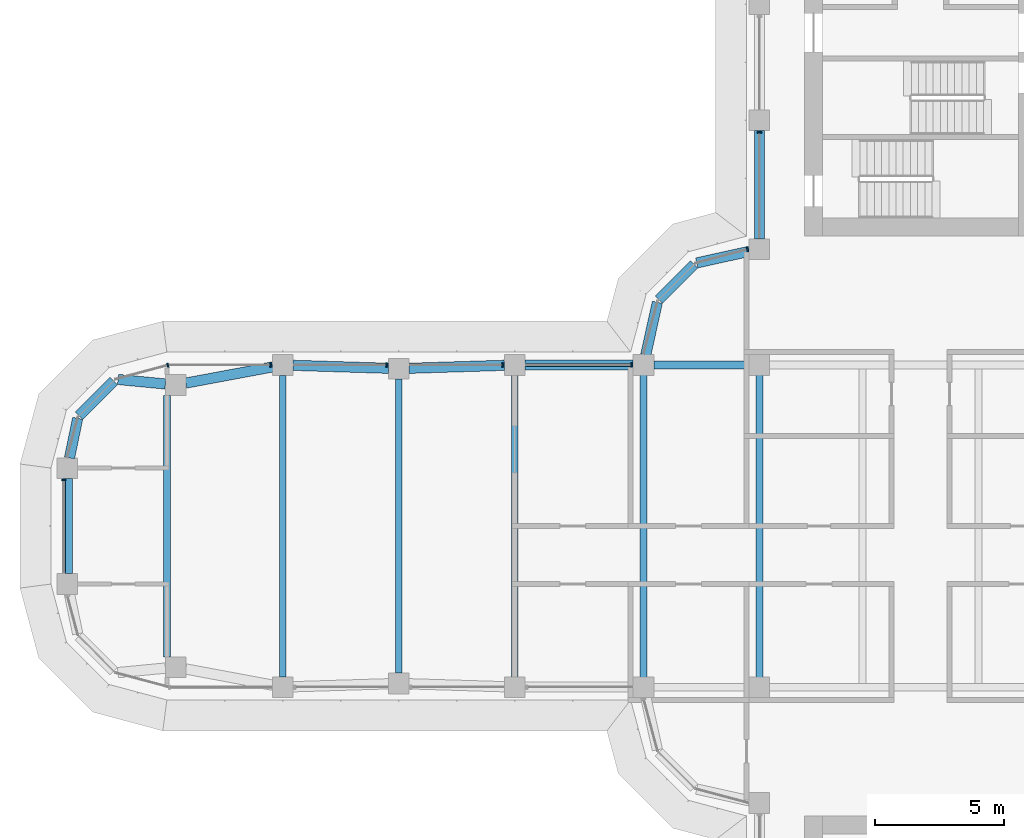
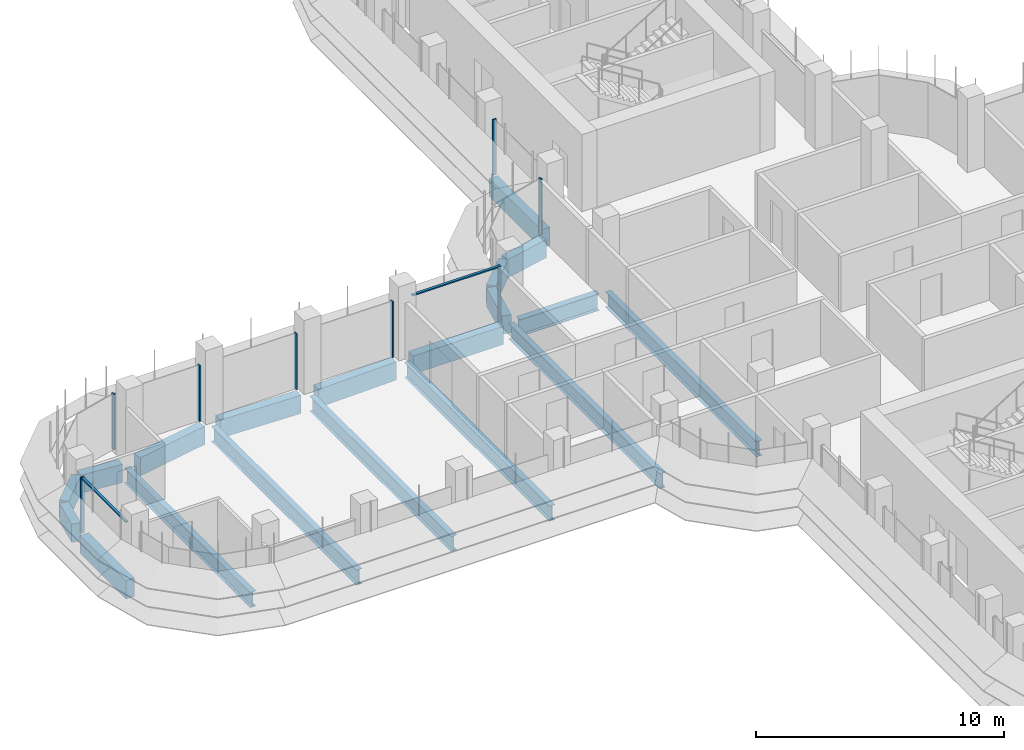
# One storey, part 6 of 19: 19 beams, 10 members, 5 elements without a shape of their own.
"""IFC4 building model written with IfcOpenShell, lengths in metres."""

from ifc_helpers import new_model, si_unit, direction, frame, origin, origin_2d, place, context, subcontext, project, spatial, polyline, rectangle, i_section, outline, extrude, source, transform, mapped, material, material_profile, profile_set, type_object, element, aggregate, save


model = new_model("IFC4")

# Units and contexts
model_context = context("Model", 3, precision=1e-05, world=origin(), true_north=direction((0.0, 1.0)))
body_context = subcontext(model_context, "Body", "Model", "MODEL_VIEW")
ifc_project = project(units=[si_unit("LENGTHUNIT", "METRE"), si_unit("AREAUNIT", "SQUARE_METRE"), si_unit("VOLUMEUNIT", "CUBIC_METRE"), si_unit("PLANEANGLEUNIT", "RADIAN"), si_unit("MASSUNIT", "GRAM", prefix="KILO")], contexts=[model_context])

# Site, building, storey
site_placement = place(None, origin())
site = spatial("IfcSite", under=ifc_project, at=site_placement, CompositionType="ELEMENT")
building_placement = place(site_placement, origin())
building = spatial("IfcBuilding", under=site, at=building_placement, Name="Zarbagh Exchange Tower", CompositionType="ELEMENT")
storey_placement = place(building_placement, frame((0.0, 0.0, 160.0)))
storey = spatial("IfcBuildingStorey", under=building, at=storey_placement, Name="L38", CompositionType="ELEMENT", Elevation=160.0)

# Beams
ifc_material_1 = material(Name="Steel ASTM A992 Gr 50", Category="steel")
ifc_material_profile_1 = material_profile(ifc_material_1, i_section(OverallWidth=0.26416015625, OverallDepth=0.749267578125, WebThickness=0.011962890625, FlangeThickness=0.015380859375, at=origin_2d()), Name="W30X90")
ifc_profile_set_1 = profile_set([ifc_material_profile_1], Name="Steel ASTM A992 Gr 50")
beam_type_1 = type_object("IfcBeamType", Name="Floor beam W30X90", PredefinedType="BEAM", material=ifc_profile_set_1)
for number, where, z_axis, x_axis, name in (
    (1, (-10.75, -6.10400390625, -0.524658203125), (0.0, 1.0, 0.0), (-1.0, 0.0, 0.0), "Steel floor beam"),
    (2, (-6.25, -6.10400390625, -0.524658203125), (0.0, 1.0, 0.0), (-1.0, 0.0, 0.0), "Steel floor beam"),
):
    element("IfcBeam", number, at=place(storey_placement, frame(where, z_axis=z_axis, x_axis=x_axis)), inside=storey, type_object=beam_type_1, Name=name, PredefinedType="BEAM", context=body_context, shape_type="SweptSolid", body=[
        extrude(i_section(OverallWidth=0.26416015625, OverallDepth=0.749267578125, WebThickness=0.011962890625, FlangeThickness=0.015380859375, at=origin_2d()), origin(), (0.0, 0.0, 1.0), 12.2080078125),
    ])
beam_1_placement = place(storey_placement, frame((-15.75, -5.85009765625, -0.524658203125), z_axis=(0.0, 1.0, 0.0), x_axis=(-1.0, 0.0, 0.0)))
element("IfcBeam", 3, at=beam_1_placement, inside=storey, type_object=beam_type_1, Name="Steel floor beam", PredefinedType="BEAM", context=body_context, shape_type="SweptSolid", body=[
    extrude(i_section(OverallWidth=0.26416015625, OverallDepth=0.749267578125, WebThickness=0.011962890625, FlangeThickness=0.015380859375, at=origin_2d()), origin(), (0.0, 0.0, 1.0), 11.7001953125),
])
beam_2_placement = place(storey_placement, frame((-20.25, -5.7099609375, -0.524658203125), z_axis=(0.0, 1.0, 0.0), x_axis=(-1.0, 0.0, 0.0)))
element("IfcBeam", 4, at=beam_2_placement, inside=storey, type_object=beam_type_1, Name="Steel floor beam", PredefinedType="BEAM", context=body_context, shape_type="SweptSolid", body=[
    extrude(i_section(OverallWidth=0.26416015625, OverallDepth=0.749267578125, WebThickness=0.011962890625, FlangeThickness=0.015380859375, at=origin_2d()), origin(), (0.0, 0.0, 1.0), 11.419921875),
])
beam_3_placement = place(storey_placement, frame((-24.75, -5.85009765625, -0.524658203125), z_axis=(0.0, 1.0, 0.0), x_axis=(-1.0, 0.0, 0.0)))
element("IfcBeam", 5, at=beam_3_placement, inside=storey, type_object=beam_type_1, Name="Steel floor beam", PredefinedType="BEAM", context=body_context, shape_type="SweptSolid", body=[
    extrude(i_section(OverallWidth=0.26416015625, OverallDepth=0.749267578125, WebThickness=0.011962890625, FlangeThickness=0.015380859375, at=origin_2d()), origin(), (0.0, 0.0, 1.0), 11.7001953125),
])
beam_4_placement = place(storey_placement, frame((-29.25, -5.074951171875, -0.524658203125), z_axis=(0.0, 1.0, 0.0), x_axis=(-1.0, 0.0, 0.0)))
element("IfcBeam", 6, at=beam_4_placement, inside=storey, type_object=beam_type_1, Name="Steel floor beam", PredefinedType="BEAM", context=body_context, shape_type="SweptSolid", body=[
    extrude(i_section(OverallWidth=0.26416015625, OverallDepth=0.749267578125, WebThickness=0.011962890625, FlangeThickness=0.015380859375, at=origin_2d()), origin(), (0.0, 0.0, 1.0), 10.14990234375),
])
ifc_material_profile_2 = material_profile(ifc_material_1, i_section(OverallWidth=0.2919921875, OverallDepth=0.835693359375, WebThickness=0.013916015625, FlangeThickness=0.018798828125, at=origin_2d()), Name="W33X118")
ifc_profile_set_2 = profile_set([ifc_material_profile_2], Name="Steel ASTM A992 Gr 50")
beam_type_2 = type_object("IfcBeamType", Name="Floor girder W33X118", PredefinedType="BEAM", material=ifc_profile_set_2)
beam_5_placement = place(storey_placement, frame((-10.35009765625, 6.25, -0.56787109375), z_axis=(1.0, 0.0, 0.0), x_axis=(0.0, 1.0, 0.0)))
element("IfcBeam", 7, at=beam_5_placement, inside=storey, type_object=beam_type_2, Name="Steel girder", PredefinedType="BEAM", context=body_context, shape_type="SweptSolid", body=[
    extrude(i_section(OverallWidth=0.2919921875, OverallDepth=0.835693359375, WebThickness=0.013916015625, FlangeThickness=0.018798828125, at=origin_2d()), origin(), (0.0, 0.0, 1.0), 3.7001953125),
])
ifc_material_2 = material(Name="Concrete C50/60", Category="concrete")
ifc_material_profile_3 = material_profile(ifc_material_2, rectangle(XDim=0.39990234375, YDim=0.89990234375, at=origin_2d()), Name="RC spandrel beam 400 x 900 C50/60")
ifc_profile_set_3 = profile_set([ifc_material_profile_3], Name="Concrete C50/60")
beam_type_3 = type_object("IfcBeamType", Name="RC spandrel beam 400 x 900 C50/60", PredefinedType="SPANDREL", material=ifc_profile_set_3)
beam_6_placement = place(storey_placement, frame((-33.110107421875, -1.85009765625, -0.60009765625), z_axis=(0.0, 1.0, 0.0), x_axis=(-1.0, 0.0, 0.0)))
element("IfcBeam", 8, at=beam_6_placement, inside=storey, type_object=beam_type_3, Name="RC spandrel beam", PredefinedType="SPANDREL", context=body_context, shape_type="SweptSolid", body=[
    extrude(rectangle(XDim=0.39990234375, YDim=0.89990234375, at=origin_2d()), origin(), (0.0, 0.0, 1.0), 3.7001953125),
])
beam_7_placement = place(storey_placement, frame((-33.029052734375, 2.6416015625, -0.60009765625), z_axis=(0.20216948151, 0.979350550491, 0.0), x_axis=(-0.979350550491, 0.20216948151, 0.0)))
element("IfcBeam", 9, at=beam_7_placement, inside=storey, type_object=beam_type_3, Name="RC spandrel beam", PredefinedType="SPANDREL", context=body_context, shape_type="SweptSolid", body=[
    extrude(rectangle(XDim=0.39990234375, YDim=0.89990234375, at=origin_2d()), origin(), (0.0, 0.0, 1.0), 1.573486328125),
])
beam_8_placement = place(storey_placement, frame((-32.656494140625, 4.283447265625, -0.60009765625), z_axis=(0.707106781187, 0.707106781187, 0.0), x_axis=(-0.707106781187, 0.707106781187, 0.0)))
element("IfcBeam", 10, at=beam_8_placement, inside=storey, type_object=beam_type_3, Name="RC spandrel beam", PredefinedType="SPANDREL", context=body_context, shape_type="SweptSolid", body=[
    extrude(rectangle(XDim=0.39990234375, YDim=0.89990234375, at=origin_2d()), origin(), (0.0, 0.0, 1.0), 1.9072265625),
])
beam_9_placement = place(storey_placement, frame((-31.147216796875, 5.689697265625, -0.60009765625), z_axis=(0.995435353267, -0.095438239015, 0.0), x_axis=(0.095438239015, 0.995435353267, 0.0)))
element("IfcBeam", 11, at=beam_9_placement, inside=storey, type_object=beam_type_3, Name="RC spandrel beam", PredefinedType="SPANDREL", context=body_context, shape_type="SweptSolid", body=[
    extrude(rectangle(XDim=0.39990234375, YDim=0.89990234375, at=origin_2d()), origin(), (0.0, 0.0, 1.0), 1.849609375),
])
beam_10_placement = place(storey_placement, frame((-28.514892578125, 5.54833984375, -0.60009765625), z_axis=(0.983069862768, 0.183231124313, 0.0), x_axis=(-0.183231124313, 0.983069862768, 0.0)))
element("IfcBeam", 12, at=beam_10_placement, inside=storey, type_object=beam_type_3, Name="RC spandrel beam", PredefinedType="SPANDREL", context=body_context, shape_type="SweptSolid", body=[
    extrude(rectangle(XDim=0.39990234375, YDim=0.89990234375, at=origin_2d()), origin(), (0.0, 0.0, 1.0), 3.4296875),
])
for number, where, z_axis, x_axis, name in (
    (13, (-24.35009765625, 6.237548828125, -0.60009765625), (0.999515416033, -0.031127690444, 0.0), (0.031127690444, 0.999515416033, 0.0), "RC spandrel beam"),
    (14, (-19.85009765625, 6.122314453125, -0.60009765625), (0.999515416033, 0.031127690444, 0.0), (-0.031127690444, 0.999515416033, 0.0), "RC spandrel beam"),
):
    element("IfcBeam", number, at=place(storey_placement, frame(where, z_axis=z_axis, x_axis=x_axis)), inside=storey, type_object=beam_type_3, Name=name, PredefinedType="SPANDREL", context=body_context, shape_type="SweptSolid", body=[
        extrude(rectangle(XDim=0.39990234375, YDim=0.89990234375, at=origin_2d()), origin(), (0.0, 0.0, 1.0), 3.701904296875),
    ])
beam_11_placement = place(storey_placement, frame((-15.35009765625, 6.25, -0.60009765625), z_axis=(1.0, 0.0, 0.0), x_axis=(0.0, 1.0, 0.0)))
element("IfcBeam", 15, at=beam_11_placement, inside=storey, type_object=beam_type_3, Name="RC spandrel beam", PredefinedType="SPANDREL", context=body_context, shape_type="SweptSolid", body=[
    extrude(rectangle(XDim=0.39990234375, YDim=0.89990234375, at=origin_2d()), origin(), (0.0, 0.0, 1.0), 4.2001953125),
])
beam_12_placement = place(storey_placement, frame((-10.66357421875, 6.640625, -0.60009765625), z_axis=(0.216041061437, 0.976384278741, 0.0), x_axis=(-0.976384278741, 0.216041061437, 0.0)))
element("IfcBeam", 16, at=beam_12_placement, inside=storey, type_object=beam_type_3, Name="RC spandrel beam", PredefinedType="SPANDREL", context=body_context, shape_type="SweptSolid", body=[
    extrude(rectangle(XDim=0.39990234375, YDim=0.89990234375, at=origin_2d()), origin(), (0.0, 0.0, 1.0), 2.0927734375),
])
beam_13_placement = place(storey_placement, frame((-10.15771484375, 8.782470703125, -0.60009765625), z_axis=(0.707106781187, 0.707106781187, 0.0), x_axis=(-0.707106781187, 0.707106781187, 0.0)))
element("IfcBeam", 17, at=beam_13_placement, inside=storey, type_object=beam_type_3, Name="RC spandrel beam", PredefinedType="SPANDREL", context=body_context, shape_type="SweptSolid", body=[
    extrude(rectangle(XDim=0.39990234375, YDim=0.89990234375, at=origin_2d()), origin(), (0.0, 0.0, 1.0), 1.94482421875),
])
beam_14_placement = place(storey_placement, frame((-8.68408203125, 10.21142578125, -0.60009765625), z_axis=(0.976384278741, 0.216041061437, 0.0), x_axis=(-0.216041061437, 0.976384278741, 0.0)))
element("IfcBeam", 18, at=beam_14_placement, inside=storey, type_object=beam_type_3, Name="RC spandrel beam", PredefinedType="SPANDREL", context=body_context, shape_type="SweptSolid", body=[
    extrude(rectangle(XDim=0.39990234375, YDim=0.89990234375, at=origin_2d()), origin(), (0.0, 0.0, 1.0), 2.0927734375),
])
beam_15_placement = place(storey_placement, frame((-6.25, 11.14990234375, -0.60009765625), z_axis=(0.0, 1.0, 0.0), x_axis=(-1.0, 0.0, 0.0)))
element("IfcBeam", 19, at=beam_15_placement, inside=storey, type_object=beam_type_3, Name="RC spandrel beam", PredefinedType="SPANDREL", context=body_context, shape_type="SweptSolid", body=[
    extrude(rectangle(XDim=0.39990234375, YDim=0.89990234375, at=origin_2d()), origin(), (0.0, 0.0, 1.0), 4.2001953125),
])

# Curtain wall, member
ifc_material_3 = material(Name="Anodised aluminium frame and glazing", Category="aluminium")
curtain_wall_type = type_object("IfcCurtainWallType", Name="CWB Ribbon glazing, upper zones", PredefinedType="NOTDEFINED", material=ifc_material_3)
curtain_wall_1_placement = place(storey_placement, origin())
curtain_wall_1 = element("IfcCurtainWall", 20, at=curtain_wall_1_placement, inside=storey, type_object=curtain_wall_type, Name="CWB28 curtain wall", PredefinedType="NOTDEFINED")
ifc_material_4 = material(Name="Anodised aluminium frame", Category="aluminium")
member_type_1 = type_object("IfcMemberType", Name="MUB Mullion, anodised aluminium frame", PredefinedType="MULLION", material=ifc_material_4)
shared_shape_1 = source(origin(), body_context, "Body", "SweptSolid", [
    extrude(outline(polyline([(0.0, -0.080078125), (0.06005859375, -0.080078125), (0.06005859375, 0.080078125), (0.0, 0.080078125), (0.0, -0.080078125)])), origin(), (0.0, 0.0, 1.0), 2.75),
])
placement = place(storey_placement, origin())
member_1 = element("IfcMember", 21, at=placement, type_object=member_type_1, Name="CWB28 mullion 4.1", PredefinedType="MULLION", context=body_context, shape_type="MappedRepresentation", body=[
    mapped(shared_shape_1, transform((-6.25, 15.31005859375, 0.0), x_axis=(0.0, -1.0, 0.0), y_axis=(1.0, 0.0, 0.0), z_axis=(0.0, 0.0, 1.0))),
])
aggregate(curtain_wall_1, [member_1])

curtain_wall_2_placement = place(storey_placement, origin())
curtain_wall_2 = element("IfcCurtainWall", 22, at=curtain_wall_2_placement, inside=storey, type_object=curtain_wall_type, Name="CWB29 curtain wall", PredefinedType="NOTDEFINED")
member_2 = element("IfcMember", 23, at=placement, type_object=member_type_1, Name="CWB29 mullion 1.1", PredefinedType="MULLION", context=body_context, shape_type="MappedRepresentation", body=[
    mapped(shared_shape_1, transform((-6.68994140625, 10.74853515625, 0.0), x_axis=(-0.965924289636, -0.258824779902, 0.0), y_axis=(0.258824779902, -0.965924289636, 0.0), z_axis=(0.0, 0.0, 1.0))),
])
aggregate(curtain_wall_2, [member_2])

# Curtain wall, members
curtain_wall_3_placement = place(storey_placement, origin())
curtain_wall_3 = element("IfcCurtainWall", 24, at=curtain_wall_3_placement, inside=storey, type_object=curtain_wall_type, Name="CWB32 curtain wall", PredefinedType="NOTDEFINED")
member_3 = element("IfcMember", 25, at=placement, type_object=member_type_1, Name="CWB32 mullion 1.1", PredefinedType="MULLION", context=body_context, shape_type="MappedRepresentation", body=[
    mapped(shared_shape_1, transform((-11.18994140625, 6.25, 0.0), x_axis=(-1.0, 0.0, 0.0), y_axis=(0.0, -1.0, 0.0), z_axis=(0.0, 0.0, 1.0))),
])
member_4 = element("IfcMember", 26, at=placement, type_object=member_type_1, Name="CWB32 mullion 2.1", PredefinedType="MULLION", context=body_context, shape_type="MappedRepresentation", body=[
    mapped(shared_shape_1, transform((-16.18994140625, 6.25, 0.0), x_axis=(-1.0, 0.0, 0.0), y_axis=(0.0, -1.0, 0.0), z_axis=(0.0, 0.0, 1.0))),
])
member_5 = element("IfcMember", 27, at=placement, type_object=member_type_1, Name="CWB32 mullion 3.1", PredefinedType="MULLION", context=body_context, shape_type="MappedRepresentation", body=[
    mapped(shared_shape_1, transform((-20.68994140625, 6.25, 0.0), x_axis=(-1.0, 0.0, 0.0), y_axis=(0.0, -1.0, 0.0), z_axis=(0.0, 0.0, 1.0))),
])
member_6 = element("IfcMember", 28, at=placement, type_object=member_type_1, Name="CWB32 mullion 4.1", PredefinedType="MULLION", context=body_context, shape_type="MappedRepresentation", body=[
    mapped(shared_shape_1, transform((-25.18994140625, 6.25, 0.0), x_axis=(-1.0, 0.0, 0.0), y_axis=(0.0, -1.0, 0.0), z_axis=(0.0, 0.0, 1.0))),
])

# Curtain wall, member
curtain_wall_4_placement = place(storey_placement, origin())
curtain_wall_4 = element("IfcCurtainWall", 29, at=curtain_wall_4_placement, inside=storey, type_object=curtain_wall_type, Name="CWB33 curtain wall", PredefinedType="NOTDEFINED")
member_7 = element("IfcMember", 30, at=placement, type_object=member_type_1, Name="CWB33 mullion 1.1", PredefinedType="MULLION", context=body_context, shape_type="MappedRepresentation", body=[
    mapped(shared_shape_1, transform((-29.18408203125, 6.25, 0.0), x_axis=(-0.965924289636, -0.258824779902, 0.0), y_axis=(0.258824779902, -0.965924289636, 0.0), z_axis=(0.0, 0.0, 1.0))),
])
aggregate(curtain_wall_4, [member_7])

curtain_wall_5_placement = place(storey_placement, origin())
curtain_wall_5 = element("IfcCurtainWall", 31, at=curtain_wall_5_placement, inside=storey, type_object=curtain_wall_type, Name="CWB36 curtain wall", PredefinedType="NOTDEFINED")
member_8 = element("IfcMember", 32, at=placement, type_object=member_type_1, Name="CWB36 mullion 1.1", PredefinedType="MULLION", context=body_context, shape_type="MappedRepresentation", body=[
    mapped(shared_shape_1, transform((-33.25, 1.81005859375, 0.0), x_axis=(0.0, -1.0, 0.0), y_axis=(1.0, 0.0, 0.0), z_axis=(0.0, 0.0, 1.0))),
])

# Member
member_type_2 = type_object("IfcMemberType", Name="TRB Transom, anodised aluminium frame", PredefinedType="USERDEFINED", material=ifc_material_4)
shared_shape_2 = source(origin(), body_context, "Body", "SweptSolid", [
    extrude(outline(polyline([(-0.06005859375, -0.06005859375), (0.0, -0.06005859375), (0.0, 0.06005859375), (-0.06005859375, 0.06005859375), (-0.06005859375, -0.06005859375)])), origin(), (0.0, 0.0, 1.0), 4.06005859375),
])
member_9 = element("IfcMember", 33, at=placement, type_object=member_type_2, Name="CWB32 transom 1.1", ObjectType="TRANSOM", PredefinedType="USERDEFINED", context=body_context, shape_type="MappedRepresentation", body=[
    mapped(shared_shape_2, transform((-11.25, 6.25, 2.75), x_axis=(0.0, 0.0, 1.0), y_axis=(0.0, 1.0, 0.0), z_axis=(-1.0, 0.0, 0.0))),
])

aggregate(curtain_wall_3, [member_3, member_9, member_4, member_5, member_6])

shared_shape_3 = source(origin(), body_context, "Body", "SweptSolid", [
    extrude(outline(polyline([(-0.06005859375, -0.06005859375), (0.0, -0.06005859375), (0.0, 0.06005859375), (-0.06005859375, 0.06005859375), (-0.06005859375, -0.06005859375)])), origin(), (0.0, 0.0, 1.0), 3.56005859375),
])
member_10 = element("IfcMember", 34, at=placement, type_object=member_type_2, Name="CWB36 transom 1.1", ObjectType="TRANSOM", PredefinedType="USERDEFINED", context=body_context, shape_type="MappedRepresentation", body=[
    mapped(shared_shape_3, transform((-33.25, 1.75, 2.75), x_axis=(0.0, 0.0, 1.0), y_axis=(-1.0, 0.0, 0.0), z_axis=(0.0, -1.0, 0.0))),
])

aggregate(curtain_wall_5, [member_8, member_10])

save(model, "model.ifc")
